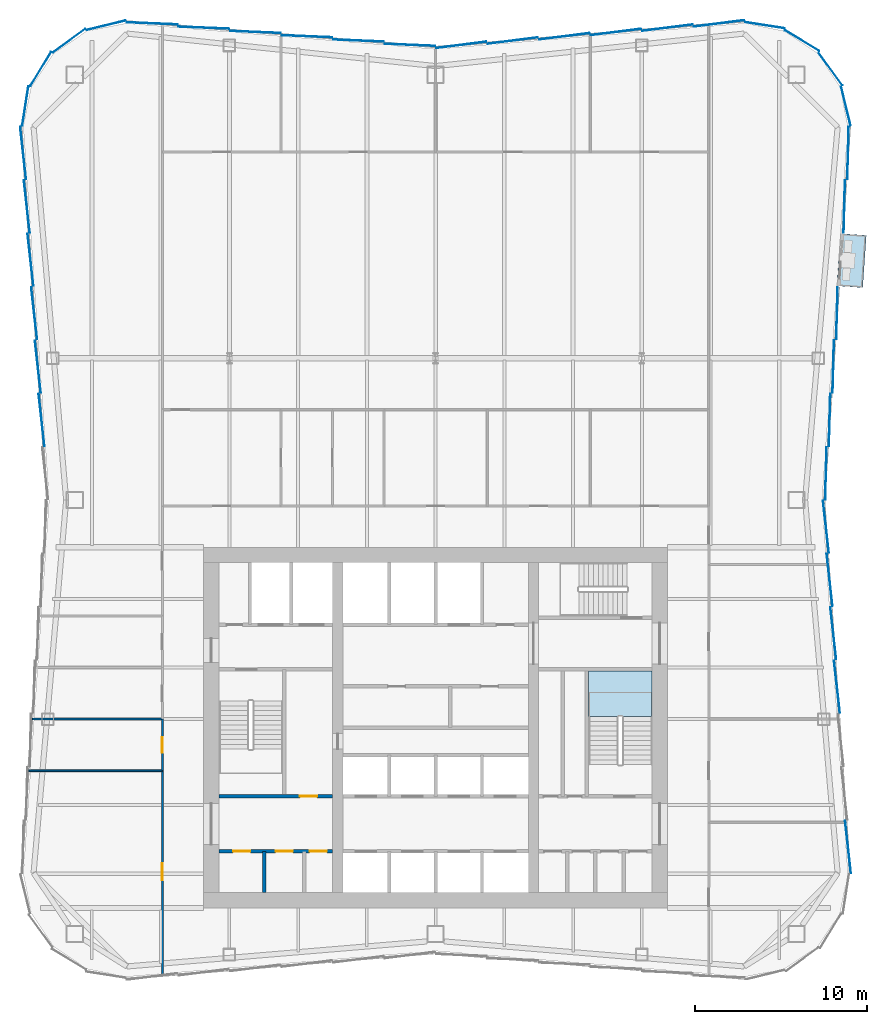
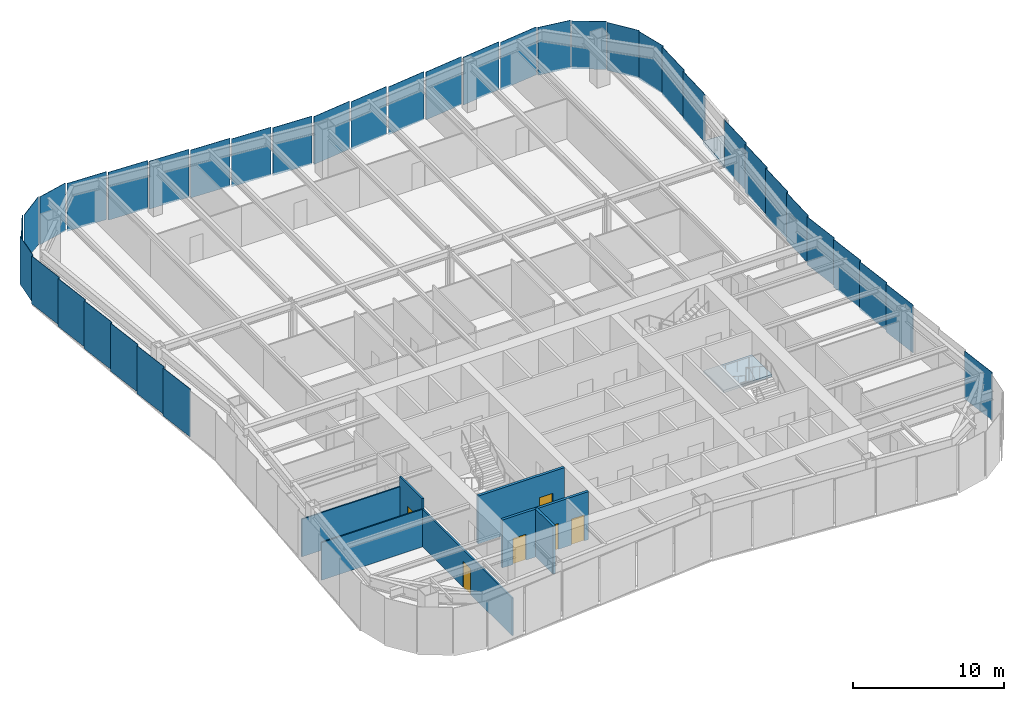
# One storey, part 4 of 10: 37 plates, 7 walls, 6 doors, 2 slabs, 6 openings, 6 elements without a shape of their own.
"""IFC4 building model written with IfcOpenShell, lengths in metres."""

from ifc_helpers import new_model, si_unit, direction, frame, frame_2d, origin, origin_2d, place, context, subcontext, project, spatial, polyline, rectangle, outline, extrude, material, layer, layer_set, type_object, element, fill, aggregate, save


model = new_model("IFC4")

# Units and contexts
model_context = context("Model", 3, precision=1e-05, world=origin(), true_north=direction((0.0, 1.0)))
body_context = subcontext(model_context, "Body", "Model", "MODEL_VIEW")
ifc_project = project(units=[si_unit("LENGTHUNIT", "METRE"), si_unit("AREAUNIT", "SQUARE_METRE"), si_unit("VOLUMEUNIT", "CUBIC_METRE"), si_unit("PLANEANGLEUNIT", "RADIAN"), si_unit("MASSUNIT", "GRAM", prefix="KILO")], contexts=[model_context])

# Site, building, storey
site_placement = place(None, origin())
site = spatial("IfcSite", under=ifc_project, at=site_placement, CompositionType="ELEMENT")
building_placement = place(site_placement, origin())
building = spatial("IfcBuilding", under=site, at=building_placement, Name="Verdant Reach Tower", CompositionType="ELEMENT")
storey_placement = place(building_placement, frame((0.0, 0.0, 198.0)))
storey = spatial("IfcBuildingStorey", under=building, at=storey_placement, Name="L45", CompositionType="ELEMENT", Elevation=198.0)

# Stair, slab
ifc_material_1 = material(Name="Concrete C40/50", Category="concrete")
stair_type = type_object("IfcStairType", Name="CO-STAIR", PredefinedType="HALF_TURN_STAIR", material=ifc_material_1)
stair_placement = place(storey_placement, origin())
stair = element("IfcStair", 1, at=stair_placement, inside=storey, type_object=stair_type, Name="L45 Exit stair 2", PredefinedType="HALF_TURN_STAIR")
ifc_layer_1 = layer(ifc_material_1, 0.199951171875)
ifc_layer_set_1 = layer_set([ifc_layer_1], Name="CO-STAIR-LANDING")
slab_type_1 = type_object("IfcSlabType", Name="CO-STAIR-LANDING", PredefinedType="LANDING", material=ifc_layer_set_1)
slab_1_placement = place(storey_placement, frame((0.0, 0.0, 1.800048828125)))
slab_1 = element("IfcSlab", 2, at=slab_1_placement, type_object=slab_type_1, Name="ST-2 landing 1", PredefinedType="LANDING", context=body_context, shape_type="SweptSolid", body=[
    extrude(outline(polyline([(12.60009765625, 28.64990234375), (12.60009765625, 31.300048828125), (8.89990234375, 31.300048828125), (8.89990234375, 28.64990234375), (12.60009765625, 28.64990234375)])), origin(), (0.0, 0.0, 1.0), 0.199951171875),
])
aggregate(stair, [slab_1])

# Slab
ifc_material_2 = material(Name="Concrete C35/45", Category="concrete")
ifc_layer_2 = layer(ifc_material_2, 0.25)
ifc_layer_set_2 = layer_set([ifc_layer_2], Name="EN-BALCONY SLAB")
slab_type_2 = type_object("IfcSlabType", Name="EN-BALCONY SLAB", PredefinedType="FLOOR", material=ifc_layer_set_2)
slab_2_placement = place(storey_placement, frame((0.0, 0.0, -0.25)))
element("IfcSlab", 3, at=slab_2_placement, inside=storey, type_object=slab_type_2, Name="Balcony slab 1, L45", PredefinedType="FLOOR", context=body_context, shape_type="SweptSolid", body=[
    extrude(outline(polyline([(23.359375, 53.71142578125), (23.569091796875, 56.752685546875), (25.065673828125, 56.649658203125), (24.85595703125, 53.6083984375), (23.359375, 53.71142578125)])), origin(), (0.0, 0.0, 1.0), 0.25),
])

# Curtain wall, plates
ifc_material_3 = material(Name="Anodised aluminium", Category="aluminium")
curtain_wall_type = type_object("IfcCurtainWallType", Name="EN-CW SYSTEM Z3", PredefinedType="NOTDEFINED", material=ifc_material_3)
curtain_wall_1_placement = place(storey_placement, origin())
curtain_wall_1 = element("IfcCurtainWall", 4, at=curtain_wall_1_placement, inside=storey, type_object=curtain_wall_type, Name="Curtain wall east, L45", PredefinedType="NOTDEFINED")
ifc_material_4 = material(Name="Tinted glass with champagne spandrel", Category="glass")
ifc_layer_3 = layer(ifc_material_4, 0.031982421875)
ifc_layer_set_3 = layer_set([ifc_layer_3], Name="EN-PANEL CHAMPAGNE")
plate_type_1 = type_object("IfcPlateType", Name="EN-PANEL CHAMPAGNE", PredefinedType="CURTAIN_PANEL", material=ifc_layer_set_3)
plate_1_placement = place(storey_placement, frame((22.93017578125, 36.5966796875, -0.22412109375), z_axis=(0.0, 0.0, 1.0), x_axis=(-0.110518162674, 0.993874104562, 0.0)))
plate_1 = element("IfcPlate", 5, at=plate_1_placement, type_object=plate_type_1, Name="Glass panel east face part 1 6.1, L45", PredefinedType="CURTAIN_PANEL", context=body_context, shape_type="SweptSolid", body=[
    extrude(rectangle(XDim=3.052490234375, YDim=0.031982421875, at=origin_2d()), origin(), (0.0, 0.0, 1.0), 3.8740234375),
])
plate_2_placement = place(storey_placement, frame((22.716064453125, 39.7001953125, -0.22412109375), z_axis=(0.0, 0.0, 1.0), x_axis=(-0.110600785385, 0.993864913493, 0.0)))
plate_2 = element("IfcPlate", 6, at=plate_2_placement, type_object=plate_type_1, Name="Glass panel east face part 1 7.1, L45", PredefinedType="CURTAIN_PANEL", context=body_context, shape_type="SweptSolid", body=[
    extrude(rectangle(XDim=3.044921875, YDim=0.031982421875, at=origin_2d()), origin(), (0.0, 0.0, 1.0), 3.8740234375),
])
plate_3_placement = place(storey_placement, frame((22.716064453125, 42.7998046875, -0.22412109375), z_axis=(0.0, 0.0, 1.0), x_axis=(0.027048420339, 0.999634124546, 0.0)))
plate_3 = element("IfcPlate", 7, at=plate_3_placement, type_object=plate_type_1, Name="Glass panel east face part 2 1.1, L45", PredefinedType="CURTAIN_PANEL", context=body_context, shape_type="SweptSolid", body=[
    extrude(rectangle(XDim=3.044921875, YDim=0.031982421875, at=origin_2d()), origin(), (0.0, 0.0, 1.0), 3.8740234375),
])
plate_4_placement = place(storey_placement, frame((24.001708984375, 61.446044921875, -0.22412109375), z_axis=(0.0, 0.0, 1.0), x_axis=(0.026659626966, 0.999644568979, 0.0)))
plate_4 = element("IfcPlate", 8, at=plate_4_placement, type_object=plate_type_1, Name="Glass panel east face part 2 7.1, L45", PredefinedType="CURTAIN_PANEL", context=body_context, shape_type="SweptSolid", body=[
    extrude(rectangle(XDim=3.06689453125, YDim=0.031982421875, at=origin_2d()), origin(), (0.0, 0.0, 1.0), 3.8740234375),
])

curtain_wall_2_placement = place(storey_placement, origin())
curtain_wall_2 = element("IfcCurtainWall", 9, at=curtain_wall_2_placement, inside=storey, type_object=curtain_wall_type, Name="Curtain wall north, L45", PredefinedType="NOTDEFINED")
plate_5_placement = place(storey_placement, frame((7.490966796875, 68.233642578125, -0.22412109375), z_axis=(0.0, 0.0, 1.0), x_axis=(-0.992194034542, -0.124703639961, 0.0)))
plate_5 = element("IfcPlate", 10, at=plate_5_placement, type_object=plate_type_1, Name="Glass panel north face part 1 4.1, L45", PredefinedType="CURTAIN_PANEL", context=body_context, shape_type="SweptSolid", body=[
    extrude(rectangle(XDim=2.948486328125, YDim=0.031982421875, at=origin_2d()), origin(), (0.0, 0.0, 1.0), 3.8740234375),
])
plate_6_placement = place(storey_placement, frame((4.490966796875, 67.983642578125, -0.22412109375), z_axis=(0.0, 0.0, 1.0), x_axis=(-0.992194034542, -0.124703639961, 0.0)))
plate_6 = element("IfcPlate", 11, at=plate_6_placement, type_object=plate_type_1, Name="Glass panel north face part 1 5.1, L45", PredefinedType="CURTAIN_PANEL", context=body_context, shape_type="SweptSolid", body=[
    extrude(rectangle(XDim=2.948486328125, YDim=0.031982421875, at=origin_2d()), origin(), (0.0, 0.0, 1.0), 3.8740234375),
])
plate_7_placement = place(storey_placement, frame((1.495361328125, 67.73388671875, -0.22412109375), z_axis=(0.0, 0.0, 1.0), x_axis=(-0.992178382939, -0.124828107529, 0.0)))
plate_7 = element("IfcPlate", 12, at=plate_7_placement, type_object=plate_type_1, Name="Glass panel north face part 1 6.1, L45", PredefinedType="CURTAIN_PANEL", context=body_context, shape_type="SweptSolid", body=[
    extrude(rectangle(XDim=2.939453125, YDim=0.031982421875, at=origin_2d()), origin(), (0.0, 0.0, 1.0), 3.8740234375),
])
plate_8_placement = place(storey_placement, frame((-16.49853515625, 68.983642578125, -0.22412109375), z_axis=(0.0, 0.0, 1.0), x_axis=(-0.999163623568, 0.040890748818, 0.0)))
plate_8 = element("IfcPlate", 13, at=plate_8_placement, type_object=plate_type_1, Name="Glass panel north face part 2 6.1, L45", PredefinedType="CURTAIN_PANEL", context=body_context, shape_type="SweptSolid", body=[
    extrude(rectangle(XDim=2.963623046875, YDim=0.031982421875, at=origin_2d()), origin(), (0.0, 0.0, 1.0), 3.8740234375),
])

# Curtain wall, plate
curtain_wall_3_placement = place(storey_placement, origin())
curtain_wall_3 = element("IfcCurtainWall", 14, at=curtain_wall_3_placement, inside=storey, type_object=curtain_wall_type, Name="Curtain wall north-west corner, L45", PredefinedType="NOTDEFINED")
plate_9_placement = place(storey_placement, frame((-23.87646484375, 64.17236328125, -0.22412109375), z_axis=(0.0, 0.0, 1.0), x_axis=(-0.154311870796, -0.988022189291, 0.0)))
plate_9 = element("IfcPlate", 15, at=plate_9_placement, type_object=plate_type_1, Name="Glass panel north-west corner 4.1, L45", PredefinedType="CURTAIN_PANEL", context=body_context, shape_type="SweptSolid", body=[
    extrude(rectangle(XDim=2.314697265625, YDim=0.031982421875, at=origin_2d()), origin(), (0.0, 0.0, 1.0), 3.8740234375),
])

# Curtain wall, plates
curtain_wall_4_placement = place(storey_placement, origin())
curtain_wall_4 = element("IfcCurtainWall", 16, at=curtain_wall_4_placement, inside=storey, type_object=curtain_wall_type, Name="Curtain wall west, L45", PredefinedType="NOTDEFINED")
plate_10_placement = place(storey_placement, frame((-23.787353515625, 58.331787109375, -0.22412109375), z_axis=(0.0, 0.0, 1.0), x_axis=(0.110518162674, -0.993874104562, 0.0)))
plate_10 = element("IfcPlate", 17, at=plate_10_placement, type_object=plate_type_1, Name="Glass panel west face part 1 2.1, L45", PredefinedType="CURTAIN_PANEL", context=body_context, shape_type="SweptSolid", body=[
    extrude(rectangle(XDim=3.052490234375, YDim=0.031982421875, at=origin_2d()), origin(), (0.0, 0.0, 1.0), 3.8740234375),
])
plate_11_placement = place(storey_placement, frame((-23.572998046875, 55.224609375, -0.22412109375), z_axis=(0.0, 0.0, 1.0), x_axis=(0.110518162674, -0.993874104562, 0.0)))
plate_11 = element("IfcPlate", 18, at=plate_11_placement, type_object=plate_type_1, Name="Glass panel west face part 1 3.1, L45", PredefinedType="CURTAIN_PANEL", context=body_context, shape_type="SweptSolid", body=[
    extrude(rectangle(XDim=3.052490234375, YDim=0.031982421875, at=origin_2d()), origin(), (0.0, 0.0, 1.0), 3.8740234375),
])
plate_12_placement = place(storey_placement, frame((-23.358642578125, 52.117431640625, -0.22412109375), z_axis=(0.0, 0.0, 1.0), x_axis=(0.110518162674, -0.993874104562, 0.0)))
plate_12 = element("IfcPlate", 19, at=plate_12_placement, type_object=plate_type_1, Name="Glass panel west face part 1 4.1, L45", PredefinedType="CURTAIN_PANEL", context=body_context, shape_type="SweptSolid", body=[
    extrude(rectangle(XDim=3.052490234375, YDim=0.031982421875, at=origin_2d()), origin(), (0.0, 0.0, 1.0), 3.8740234375),
])

# Plate
ifc_material_5 = material(Name="Tinted glass with copper spandrel", Category="glass")
ifc_layer_4 = layer(ifc_material_5, 0.031982421875)
ifc_layer_set_4 = layer_set([ifc_layer_4], Name="EN-PANEL COPPER")
plate_type_2 = type_object("IfcPlateType", Name="EN-PANEL COPPER", PredefinedType="CURTAIN_PANEL", material=ifc_layer_set_4)
plate_13_placement = place(storey_placement, frame((24.001708984375, 21.053955078125, -0.22412109375), z_axis=(0.0, 0.0, 1.0), x_axis=(-0.110214229533, 0.993907854687, 0.0)))
plate_13 = element("IfcPlate", 20, at=plate_13_placement, type_object=plate_type_2, Name="Glass panel east face part 1 1.1, L45", PredefinedType="CURTAIN_PANEL", context=body_context, shape_type="SweptSolid", body=[
    extrude(rectangle(XDim=3.06689453125, YDim=0.031982421875, at=origin_2d()), origin(), (0.0, 0.0, 1.0), 3.8740234375),
])

plate_14_placement = place(storey_placement, frame((22.93017578125, 45.9033203125, -0.22412109375), z_axis=(0.0, 0.0, 1.0), x_axis=(0.026965318308, 0.999636369691, 0.0)))
plate_14 = element("IfcPlate", 21, at=plate_14_placement, type_object=plate_type_2, Name="Glass panel east face part 2 2.1, L45", PredefinedType="CURTAIN_PANEL", context=body_context, shape_type="SweptSolid", body=[
    extrude(rectangle(XDim=3.052490234375, YDim=0.031982421875, at=origin_2d()), origin(), (0.0, 0.0, 1.0), 3.8740234375),
])

plate_15_placement = place(storey_placement, frame((23.14453125, 49.01025390625, -0.22412109375), z_axis=(0.0, 0.0, 1.0), x_axis=(0.026965318308, 0.999636369691, 0.0)))
plate_15 = element("IfcPlate", 22, at=plate_15_placement, type_object=plate_type_2, Name="Glass panel east face part 2 3.1, L45", PredefinedType="CURTAIN_PANEL", context=body_context, shape_type="SweptSolid", body=[
    extrude(rectangle(XDim=3.052490234375, YDim=0.031982421875, at=origin_2d()), origin(), (0.0, 0.0, 1.0), 3.8740234375),
])

plate_16_placement = place(storey_placement, frame((23.358642578125, 52.117431640625, -0.22412109375), z_axis=(0.0, 0.0, 1.0), x_axis=(0.026965318308, 0.999636369691, 0.0)))
plate_16 = element("IfcPlate", 23, at=plate_16_placement, type_object=plate_type_2, Name="Glass panel east face part 2 4.1, L45", PredefinedType="CURTAIN_PANEL", context=body_context, shape_type="SweptSolid", body=[
    extrude(rectangle(XDim=3.052490234375, YDim=0.031982421875, at=origin_2d()), origin(), (0.0, 0.0, 1.0), 3.8740234375),
])

# Curtain wall, plates
curtain_wall_5_placement = place(storey_placement, origin())
curtain_wall_5 = element("IfcCurtainWall", 24, at=curtain_wall_5_placement, inside=storey, type_object=curtain_wall_type, Name="Curtain wall north-east corner, L45", PredefinedType="NOTDEFINED")
plate_17_placement = place(storey_placement, frame((23.87646484375, 64.17236328125, -0.22412109375), z_axis=(0.0, 0.0, 1.0), x_axis=(-0.23644624331, 0.97164457186, 0.0)))
plate_17 = element("IfcPlate", 25, at=plate_17_placement, type_object=plate_type_2, Name="Glass panel north-east corner 1.1, L45", PredefinedType="CURTAIN_PANEL", context=body_context, shape_type="SweptSolid", body=[
    extrude(rectangle(XDim=2.314697265625, YDim=0.031982421875, at=origin_2d()), origin(), (0.0, 0.0, 1.0), 3.8740234375),
])
plate_18_placement = place(storey_placement, frame((22.98193359375, 66.328857421875, -0.22412109375), z_axis=(0.0, 0.0, 1.0), x_axis=(-0.589926747542, 0.807456768214, 0.0)))
plate_18 = element("IfcPlate", 26, at=plate_18_placement, type_object=plate_type_2, Name="Glass panel north-east corner 2.1, L45", PredefinedType="CURTAIN_PANEL", context=body_context, shape_type="SweptSolid", body=[
    extrude(rectangle(XDim=2.321533203125, YDim=0.031982421875, at=origin_2d()), origin(), (0.0, 0.0, 1.0), 3.8740234375),
])

# Plate
plate_19_placement = place(storey_placement, frame((16.49853515625, 68.983642578125, -0.22412109375), z_axis=(0.0, 0.0, 1.0), x_axis=(-0.992237766434, -0.124355196363, 0.0)))
plate_19 = element("IfcPlate", 27, at=plate_19_placement, type_object=plate_type_2, Name="Glass panel north face part 1 1.1, L45", PredefinedType="CURTAIN_PANEL", context=body_context, shape_type="SweptSolid", body=[
    extrude(rectangle(XDim=2.963623046875, YDim=0.031982421875, at=origin_2d()), origin(), (0.0, 0.0, 1.0), 3.8740234375),
])

plate_20_placement = place(storey_placement, frame((-1.495361328125, 67.73388671875, -0.22412109375), z_axis=(0.0, 0.0, 1.0), x_axis=(-0.999144020525, 0.041366970501, 0.0)))
plate_20 = element("IfcPlate", 28, at=plate_20_placement, type_object=plate_type_2, Name="Glass panel north face part 2 1.1, L45", PredefinedType="CURTAIN_PANEL", context=body_context, shape_type="SweptSolid", body=[
    extrude(rectangle(XDim=2.939453125, YDim=0.031982421875, at=origin_2d()), origin(), (0.0, 0.0, 1.0), 3.8740234375),
])

plate_21_placement = place(storey_placement, frame((-4.490966796875, 67.983642578125, -0.22412109375), z_axis=(0.0, 0.0, 1.0), x_axis=(-0.999149202059, 0.041241629766, 0.0)))
plate_21 = element("IfcPlate", 29, at=plate_21_placement, type_object=plate_type_2, Name="Glass panel north face part 2 2.1, L45", PredefinedType="CURTAIN_PANEL", context=body_context, shape_type="SweptSolid", body=[
    extrude(rectangle(XDim=2.948486328125, YDim=0.031982421875, at=origin_2d()), origin(), (0.0, 0.0, 1.0), 3.8740234375),
])

plate_22_placement = place(storey_placement, frame((-19.171875, 68.87646484375, -0.22412109375), z_axis=(0.0, 0.0, 1.0), x_axis=(-0.971655117833, -0.236402901821, 0.0)))
plate_22 = element("IfcPlate", 30, at=plate_22_placement, type_object=plate_type_2, Name="Glass panel north-west corner 1.1, L45", PredefinedType="CURTAIN_PANEL", context=body_context, shape_type="SweptSolid", body=[
    extrude(rectangle(XDim=2.3154296875, YDim=0.031982421875, at=origin_2d()), origin(), (0.0, 0.0, 1.0), 3.8740234375),
])

plate_23_placement = place(storey_placement, frame((-23.14453125, 49.01025390625, -0.22412109375), z_axis=(0.0, 0.0, 1.0), x_axis=(0.110518162674, -0.993874104562, 0.0)))
plate_23 = element("IfcPlate", 31, at=plate_23_placement, type_object=plate_type_2, Name="Glass panel west face part 1 5.1, L45", PredefinedType="CURTAIN_PANEL", context=body_context, shape_type="SweptSolid", body=[
    extrude(rectangle(XDim=3.052490234375, YDim=0.031982421875, at=origin_2d()), origin(), (0.0, 0.0, 1.0), 3.8740234375),
])

plate_24_placement = place(storey_placement, frame((-22.93017578125, 45.9033203125, -0.22412109375), z_axis=(0.0, 0.0, 1.0), x_axis=(0.110518162674, -0.993874104562, 0.0)))
plate_24 = element("IfcPlate", 32, at=plate_24_placement, type_object=plate_type_2, Name="Glass panel west face part 1 6.1, L45", PredefinedType="CURTAIN_PANEL", context=body_context, shape_type="SweptSolid", body=[
    extrude(rectangle(XDim=3.052490234375, YDim=0.031982421875, at=origin_2d()), origin(), (0.0, 0.0, 1.0), 3.8740234375),
])

ifc_material_6 = material(Name="Tinted glass with dark bronze spandrel", Category="glass")
ifc_layer_5 = layer(ifc_material_6, 0.031982421875)
ifc_layer_set_5 = layer_set([ifc_layer_5], Name="EN-PANEL DARK")
plate_type_3 = type_object("IfcPlateType", Name="EN-PANEL DARK", PredefinedType="CURTAIN_PANEL", material=ifc_layer_set_5)
plate_25_placement = place(storey_placement, frame((23.358642578125, 30.382568359375, -0.22412109375), z_axis=(0.0, 0.0, 1.0), x_axis=(-0.110518162674, 0.993874104562, 0.0)))
plate_25 = element("IfcPlate", 33, at=plate_25_placement, type_object=plate_type_3, Name="Glass panel east face part 1 4.1, L45", PredefinedType="CURTAIN_PANEL", context=body_context, shape_type="SweptSolid", body=[
    extrude(rectangle(XDim=3.052490234375, YDim=0.031982421875, at=origin_2d()), origin(), (0.0, 0.0, 1.0), 3.8740234375),
])

plate_26_placement = place(storey_placement, frame((23.14453125, 33.48974609375, -0.22412109375), z_axis=(0.0, 0.0, 1.0), x_axis=(-0.110518162674, 0.993874104562, 0.0)))
plate_26 = element("IfcPlate", 34, at=plate_26_placement, type_object=plate_type_3, Name="Glass panel east face part 1 5.1, L45", PredefinedType="CURTAIN_PANEL", context=body_context, shape_type="SweptSolid", body=[
    extrude(rectangle(XDim=3.052490234375, YDim=0.031982421875, at=origin_2d()), origin(), (0.0, 0.0, 1.0), 3.8740234375),
])

plate_27_placement = place(storey_placement, frame((23.787353515625, 58.331787109375, -0.22412109375), z_axis=(0.0, 0.0, 1.0), x_axis=(0.026965318308, 0.999636369691, 0.0)))
plate_27 = element("IfcPlate", 35, at=plate_27_placement, type_object=plate_type_3, Name="Glass panel east face part 2 6.1, L45", PredefinedType="CURTAIN_PANEL", context=body_context, shape_type="SweptSolid", body=[
    extrude(rectangle(XDim=3.052490234375, YDim=0.031982421875, at=origin_2d()), origin(), (0.0, 0.0, 1.0), 3.8740234375),
])

aggregate(curtain_wall_1, [plate_13, plate_25, plate_26, plate_1, plate_2, plate_3, plate_14, plate_15, plate_16, plate_27, plate_4])

plate_28_placement = place(storey_placement, frame((21.328857421875, 67.98193359375, -0.22412109375), z_axis=(0.0, 0.0, 1.0), x_axis=(-0.853988701636, 0.520291550457, 0.0)))
plate_28 = element("IfcPlate", 36, at=plate_28_placement, type_object=plate_type_3, Name="Glass panel north-east corner 3.1, L45", PredefinedType="CURTAIN_PANEL", context=body_context, shape_type="SweptSolid", body=[
    extrude(rectangle(XDim=2.321533203125, YDim=0.031982421875, at=origin_2d()), origin(), (0.0, 0.0, 1.0), 3.8740234375),
])

plate_29_placement = place(storey_placement, frame((19.171875, 68.87646484375, -0.22412109375), z_axis=(0.0, 0.0, 1.0), x_axis=(-0.988029071555, 0.154267798848, 0.0)))
plate_29 = element("IfcPlate", 37, at=plate_29_placement, type_object=plate_type_3, Name="Glass panel north-east corner 4.1, L45", PredefinedType="CURTAIN_PANEL", context=body_context, shape_type="SweptSolid", body=[
    extrude(rectangle(XDim=2.3154296875, YDim=0.031982421875, at=origin_2d()), origin(), (0.0, 0.0, 1.0), 3.8740234375),
])

aggregate(curtain_wall_5, [plate_17, plate_18, plate_28, plate_29])

plate_30_placement = place(storey_placement, frame((13.490966796875, 68.733642578125, -0.22412109375), z_axis=(0.0, 0.0, 1.0), x_axis=(-0.992194034542, -0.124703639961, 0.0)))
plate_30 = element("IfcPlate", 38, at=plate_30_placement, type_object=plate_type_3, Name="Glass panel north face part 1 2.1, L45", PredefinedType="CURTAIN_PANEL", context=body_context, shape_type="SweptSolid", body=[
    extrude(rectangle(XDim=2.948486328125, YDim=0.031982421875, at=origin_2d()), origin(), (0.0, 0.0, 1.0), 3.8740234375),
])

plate_31_placement = place(storey_placement, frame((10.490966796875, 68.483642578125, -0.22412109375), z_axis=(0.0, 0.0, 1.0), x_axis=(-0.992194034542, -0.124703639961, 0.0)))
plate_31 = element("IfcPlate", 39, at=plate_31_placement, type_object=plate_type_3, Name="Glass panel north face part 1 3.1, L45", PredefinedType="CURTAIN_PANEL", context=body_context, shape_type="SweptSolid", body=[
    extrude(rectangle(XDim=2.948486328125, YDim=0.031982421875, at=origin_2d()), origin(), (0.0, 0.0, 1.0), 3.8740234375),
])

plate_32_placement = place(storey_placement, frame((-7.490966796875, 68.233642578125, -0.22412109375), z_axis=(0.0, 0.0, 1.0), x_axis=(-0.999149202059, 0.041241629766, 0.0)))
plate_32 = element("IfcPlate", 40, at=plate_32_placement, type_object=plate_type_3, Name="Glass panel north face part 2 3.1, L45", PredefinedType="CURTAIN_PANEL", context=body_context, shape_type="SweptSolid", body=[
    extrude(rectangle(XDim=2.948486328125, YDim=0.031982421875, at=origin_2d()), origin(), (0.0, 0.0, 1.0), 3.8740234375),
])

plate_33_placement = place(storey_placement, frame((-10.490966796875, 68.483642578125, -0.22412109375), z_axis=(0.0, 0.0, 1.0), x_axis=(-0.999149202059, 0.041241629766, 0.0)))
plate_33 = element("IfcPlate", 41, at=plate_33_placement, type_object=plate_type_3, Name="Glass panel north face part 2 4.1, L45", PredefinedType="CURTAIN_PANEL", context=body_context, shape_type="SweptSolid", body=[
    extrude(rectangle(XDim=2.948486328125, YDim=0.031982421875, at=origin_2d()), origin(), (0.0, 0.0, 1.0), 3.8740234375),
])

plate_34_placement = place(storey_placement, frame((-13.490966796875, 68.733642578125, -0.22412109375), z_axis=(0.0, 0.0, 1.0), x_axis=(-0.999149202059, 0.041241629766, 0.0)))
plate_34 = element("IfcPlate", 42, at=plate_34_placement, type_object=plate_type_3, Name="Glass panel north face part 2 5.1, L45", PredefinedType="CURTAIN_PANEL", context=body_context, shape_type="SweptSolid", body=[
    extrude(rectangle(XDim=2.948486328125, YDim=0.031982421875, at=origin_2d()), origin(), (0.0, 0.0, 1.0), 3.8740234375),
])

aggregate(curtain_wall_2, [plate_19, plate_30, plate_31, plate_5, plate_6, plate_7, plate_20, plate_21, plate_32, plate_33, plate_34, plate_8])

plate_35_placement = place(storey_placement, frame((-21.328857421875, 67.98193359375, -0.22412109375), z_axis=(0.0, 0.0, 1.0), x_axis=(-0.807456768214, -0.589926747542, 0.0)))
plate_35 = element("IfcPlate", 43, at=plate_35_placement, type_object=plate_type_3, Name="Glass panel north-west corner 2.1, L45", PredefinedType="CURTAIN_PANEL", context=body_context, shape_type="SweptSolid", body=[
    extrude(rectangle(XDim=2.321533203125, YDim=0.031982421875, at=origin_2d()), origin(), (0.0, 0.0, 1.0), 3.8740234375),
])

plate_36_placement = place(storey_placement, frame((-22.98193359375, 66.328857421875, -0.22412109375), z_axis=(0.0, 0.0, 1.0), x_axis=(-0.520291550457, -0.853988701636, 0.0)))
plate_36 = element("IfcPlate", 44, at=plate_36_placement, type_object=plate_type_3, Name="Glass panel north-west corner 3.1, L45", PredefinedType="CURTAIN_PANEL", context=body_context, shape_type="SweptSolid", body=[
    extrude(rectangle(XDim=2.321533203125, YDim=0.031982421875, at=origin_2d()), origin(), (0.0, 0.0, 1.0), 3.8740234375),
])

aggregate(curtain_wall_3, [plate_22, plate_35, plate_36, plate_9])

plate_37_placement = place(storey_placement, frame((-24.001708984375, 61.446044921875, -0.22412109375), z_axis=(0.0, 0.0, 1.0), x_axis=(0.110214229533, -0.993907854687, 0.0)))
plate_37 = element("IfcPlate", 45, at=plate_37_placement, type_object=plate_type_3, Name="Glass panel west face part 1 1.1, L45", PredefinedType="CURTAIN_PANEL", context=body_context, shape_type="SweptSolid", body=[
    extrude(rectangle(XDim=3.06689453125, YDim=0.031982421875, at=origin_2d()), origin(), (0.0, 0.0, 1.0), 3.8740234375),
])

aggregate(curtain_wall_4, [plate_37, plate_10, plate_11, plate_12, plate_23, plate_24])

# Wall, openings, doors
ifc_material_7 = material(Name="Gypsum board on steel studs", Category="steel")
ifc_layer_6 = layer(ifc_material_7, 0.199951171875)
ifc_layer_set_6 = layer_set([ifc_layer_6], Name="CO-WALL-ROOM")
wall_type_1 = type_object("IfcWallType", Name="CO-WALL-ROOM", PredefinedType="PARTITIONING", material=ifc_layer_set_6)
wall_1_placement = place(storey_placement, frame((-12.60009765625, 20.800048828125, 0.0), z_axis=(0.0, 0.0, 1.0), x_axis=(1.0, 0.0, 0.0)))
wall_1 = element("IfcWall", 46, at=wall_1_placement, inside=storey, type_object=wall_type_1, Name="Core partition, L45", PredefinedType="PARTITIONING", context=body_context, shape_type="SweptSolid", body=[
    extrude(rectangle(XDim=6.60009765625, YDim=0.199951171875, at=frame_2d((3.300048828125, 0.0))), origin(), (0.0, 0.0, 1.0), 3.8701171875),
])
opening_1_placement = place(wall_1_placement, frame((0.820068359375, 0.0, 0.0)))
opening_1 = element("IfcOpeningElement", 47, at=opening_1_placement, cuts=wall_1, Name="Opening CD", PredefinedType="OPENING", context=body_context, shape_type="SweptSolid", body=[
    extrude(rectangle(XDim=1.0, YDim=2.10009765625, at=frame_2d((0.5, 1.050048828125))), frame((0.0, 0.10986328125, 0.0), z_axis=(0.0, -1.0, 0.0), x_axis=(1.0, 0.0, 0.0)), (0.0, 0.0, 1.0), 0.219970703125),
])
opening_2_placement = place(wall_1_placement, frame((3.294921875, 0.0, 0.0)))
opening_2 = element("IfcOpeningElement", 48, at=opening_2_placement, cuts=wall_1, Name="Opening CD", PredefinedType="OPENING", context=body_context, shape_type="SweptSolid", body=[
    extrude(rectangle(XDim=1.0, YDim=2.10009765625, at=frame_2d((0.5, 1.050048828125))), frame((0.0, 0.10986328125, 0.0), z_axis=(0.0, -1.0, 0.0), x_axis=(1.0, 0.0, 0.0)), (0.0, 0.0, 1.0), 0.219970703125),
])
opening_3_placement = place(wall_1_placement, frame((5.27490234375, 0.0, 0.0)))
opening_3 = element("IfcOpeningElement", 49, at=opening_3_placement, cuts=wall_1, Name="Opening CD", PredefinedType="OPENING", context=body_context, shape_type="SweptSolid", body=[
    extrude(rectangle(XDim=1.0, YDim=2.10009765625, at=frame_2d((0.5, 1.050048828125))), frame((0.0, 0.10986328125, 0.0), z_axis=(0.0, -1.0, 0.0), x_axis=(1.0, 0.0, 0.0)), (0.0, 0.0, 1.0), 0.219970703125),
])
ifc_material_8 = material(Name="Timber", Category="wood")
door_type_1 = type_object("IfcDoorType", Name="CO-DOOR-ROOM", OperationType="NOTDEFINED", PredefinedType="DOOR", material=ifc_material_8)
door_1_placement = place(opening_1_placement, origin())
door_1 = element("IfcDoor", 50, at=door_1_placement, inside=storey, type_object=door_type_1, Name="Core room door, L45", OperationType="SINGLE_SWING_LEFT", OverallHeight=2.10009765625, OverallWidth=1.0, PredefinedType="DOOR", context=body_context, shape_type="SweptSolid", body=[
    extrude(rectangle(XDim=1.0, YDim=2.10009765625, at=frame_2d((0.5, 1.050048828125))), frame((0.0, 0.02490234375, 0.0), z_axis=(0.0, -1.0, 0.0), x_axis=(1.0, 0.0, 0.0)), (0.0, 0.0, 1.0), 0.050048828125),
])
fill(opening_1, door_1)
door_2_placement = place(opening_2_placement, origin())
door_2 = element("IfcDoor", 51, at=door_2_placement, inside=storey, type_object=door_type_1, Name="Core room door, L45", OperationType="SINGLE_SWING_LEFT", OverallHeight=2.10009765625, OverallWidth=1.0, PredefinedType="DOOR", context=body_context, shape_type="SweptSolid", body=[
    extrude(rectangle(XDim=1.0, YDim=2.10009765625, at=frame_2d((0.5, 1.050048828125))), frame((0.0, 0.02490234375, 0.0), z_axis=(0.0, -1.0, 0.0), x_axis=(1.0, 0.0, 0.0)), (0.0, 0.0, 1.0), 0.050048828125),
])
fill(opening_2, door_2)
door_3_placement = place(opening_3_placement, origin())
door_3 = element("IfcDoor", 52, at=door_3_placement, inside=storey, type_object=door_type_1, Name="Core room door, L45", OperationType="SINGLE_SWING_RIGHT", OverallHeight=2.10009765625, OverallWidth=1.0, PredefinedType="DOOR", context=body_context, shape_type="SweptSolid", body=[
    extrude(rectangle(XDim=1.0, YDim=2.10009765625, at=frame_2d((0.5, 1.050048828125))), frame((0.0, 0.02490234375, 0.0), z_axis=(0.0, -1.0, 0.0), x_axis=(1.0, 0.0, 0.0)), (0.0, 0.0, 1.0), 0.050048828125),
])
fill(opening_3, door_3)

# Wall
wall_2_placement = place(storey_placement, frame((-9.9599609375, 18.39990234375, 0.0), z_axis=(0.0, 0.0, 1.0), x_axis=(0.0, 1.0, 0.0)))
element("IfcWall", 53, at=wall_2_placement, inside=storey, type_object=wall_type_1, Name="Core partition, L45", PredefinedType="PARTITIONING", context=body_context, shape_type="SweptSolid", body=[
    extrude(rectangle(XDim=2.400146484375, YDim=0.199951171875, at=frame_2d((1.2001953125, 0.0))), origin(), (0.0, 0.0, 1.0), 3.8701171875),
])

# Wall, opening, door
ifc_layer_7 = layer(ifc_material_1, 0.199951171875)
ifc_layer_set_7 = layer_set([ifc_layer_7], Name="CO-WALL-STAIR")
wall_type_2 = type_object("IfcWallType", Name="CO-WALL-STAIR", PredefinedType="PARTITIONING", material=ifc_layer_set_7)
wall_3_placement = place(storey_placement, frame((-12.60009765625, 24.0, 0.0), z_axis=(0.0, 0.0, 1.0), x_axis=(1.0, 0.0, 0.0)))
wall_3 = element("IfcWall", 54, at=wall_3_placement, inside=storey, type_object=wall_type_2, Name="Stair enclosure wall, L45", PredefinedType="PARTITIONING", context=body_context, shape_type="SweptSolid", body=[
    extrude(rectangle(XDim=6.60009765625, YDim=0.199951171875, at=frame_2d((3.300048828125, 0.0))), origin(), (0.0, 0.0, 1.0), 3.8701171875),
])
opening_4_placement = place(wall_3_placement, frame((4.699951171875, 0.0, 0.0)))
opening_4 = element("IfcOpeningElement", 55, at=opening_4_placement, cuts=wall_3, Name="Opening CD", PredefinedType="OPENING", context=body_context, shape_type="SweptSolid", body=[
    extrude(rectangle(XDim=1.0, YDim=2.10009765625, at=frame_2d((0.5, 1.050048828125))), frame((0.0, 0.10986328125, 0.0), z_axis=(0.0, -1.0, 0.0), x_axis=(1.0, 0.0, 0.0)), (0.0, 0.0, 1.0), 0.219970703125),
])
door_4_placement = place(opening_4_placement, origin())
door_4 = element("IfcDoor", 56, at=door_4_placement, inside=storey, type_object=door_type_1, Name="Core room door, L45", OperationType="SINGLE_SWING_LEFT", OverallHeight=2.10009765625, OverallWidth=1.0, PredefinedType="DOOR", context=body_context, shape_type="SweptSolid", body=[
    extrude(rectangle(XDim=1.0, YDim=2.10009765625, at=frame_2d((0.5, 1.050048828125))), frame((0.0, 0.02490234375, 0.0), z_axis=(0.0, -1.0, 0.0), x_axis=(1.0, 0.0, 0.0)), (0.0, 0.0, 1.0), 0.050048828125),
])
fill(opening_4, door_4)

# Walls
ifc_layer_8 = layer(ifc_material_7, 0.10009765625)
ifc_layer_set_8 = layer_set([ifc_layer_8], Name="FL-W1 Partition 100")
wall_type_3 = type_object("IfcWallType", Name="FL-W1 Partition 100", PredefinedType="PARTITIONING", material=ifc_layer_set_8)
wall_4_placement = place(storey_placement, frame((-15.89990234375, 25.5, 0.0), z_axis=(0.0, 0.0, 1.0), x_axis=(-1.0, 0.0, 0.0)))
element("IfcWall", 57, at=wall_4_placement, inside=storey, type_object=wall_type_3, Name="Partition 45.40", PredefinedType="PARTITIONING", context=body_context, shape_type="SweptSolid", body=[
    extrude(rectangle(XDim=7.766357421875, YDim=0.10009765625, at=frame_2d((3.88330078125, 0.0))), origin(), (0.0, 0.0, 1.0), 3.0400390625),
])
wall_5_placement = place(storey_placement, frame((-15.89990234375, 28.5, 0.0), z_axis=(0.0, 0.0, 1.0), x_axis=(-1.0, 0.0, 0.0)))
element("IfcWall", 58, at=wall_5_placement, inside=storey, type_object=wall_type_3, Name="Partition 45.41", PredefinedType="PARTITIONING", context=body_context, shape_type="SweptSolid", body=[
    extrude(rectangle(XDim=7.559326171875, YDim=0.10009765625, at=frame_2d((3.77978515625, 0.0))), origin(), (0.0, 0.0, 1.0), 3.0400390625),
])

# Wall, opening, door
ifc_material_9 = material(Name="Gypsum board on steel studs, fire rated", Category="steel")
ifc_layer_9 = layer(ifc_material_9, 0.125)
ifc_layer_set_9 = layer_set([ifc_layer_9], Name="FL-W2 Corridor wall 125")
wall_type_4 = type_object("IfcWallType", Name="FL-W2 Corridor wall 125", PredefinedType="PARTITIONING", material=ifc_layer_set_9)
wall_6_placement = place(storey_placement, frame((-15.89990234375, 13.594970703125, 0.0), z_axis=(0.0, 0.0, 1.0), x_axis=(0.0, 1.0, 0.0)))
wall_6 = element("IfcWall", 59, at=wall_6_placement, inside=storey, type_object=wall_type_4, Name="Partition 45.07", PredefinedType="PARTITIONING", context=body_context, shape_type="SweptSolid", body=[
    extrude(rectangle(XDim=11.905029296875, YDim=0.125, at=frame_2d((5.95263671875, 0.0))), origin(), (0.0, 0.0, 1.0), 3.0400390625),
])
opening_5_placement = place(wall_6_placement, frame((5.517578125, 0.0, 0.0)))
opening_5 = element("IfcOpeningElement", 60, at=opening_5_placement, cuts=wall_6, Name="Opening D2", PredefinedType="OPENING", context=body_context, shape_type="SweptSolid", body=[
    extrude(rectangle(XDim=1.0, YDim=2.10009765625, at=frame_2d((0.5, 1.050048828125))), frame((0.0, 0.072509765625, 0.0), z_axis=(0.0, -1.0, 0.0), x_axis=(1.0, 0.0, 0.0)), (0.0, 0.0, 1.0), 0.14501953125),
])
ifc_material_10 = material(Name="Timber door leaf, fire rated", Category="wood")
door_type_2 = type_object("IfcDoorType", Name="FL-D2 Entrance door 1000x2100 FD30", OperationType="NOTDEFINED", PredefinedType="DOOR", material=ifc_material_10)
door_5_placement = place(opening_5_placement, origin())
door_5 = element("IfcDoor", 61, at=door_5_placement, inside=storey, type_object=door_type_2, Name="Door 45-005", OperationType="SINGLE_SWING_RIGHT", OverallHeight=2.10009765625, OverallWidth=1.0, PredefinedType="DOOR", context=body_context, shape_type="SweptSolid", body=[
    extrude(rectangle(XDim=1.0, YDim=2.10009765625, at=frame_2d((0.5, 1.050048828125))), frame((0.0, 0.02490234375, 0.0), z_axis=(0.0, -1.0, 0.0), x_axis=(1.0, 0.0, 0.0)), (0.0, 0.0, 1.0), 0.050048828125),
])
fill(opening_5, door_5)

wall_7_placement = place(storey_placement, frame((-15.89990234375, 25.5, 0.0), z_axis=(0.0, 0.0, 1.0), x_axis=(0.0, 1.0, 0.0)))
wall_7 = element("IfcWall", 62, at=wall_7_placement, inside=storey, type_object=wall_type_4, Name="Partition 45.08", PredefinedType="PARTITIONING", context=body_context, shape_type="SweptSolid", body=[
    extrude(rectangle(XDim=3.0, YDim=0.125, at=frame_2d((1.5, 0.0))), origin(), (0.0, 0.0, 1.0), 3.8701171875),
])
opening_6_placement = place(wall_7_placement, frame((1.050048828125, 0.0, 0.0)))
opening_6 = element("IfcOpeningElement", 63, at=opening_6_placement, cuts=wall_7, Name="Opening D1", PredefinedType="OPENING", context=body_context, shape_type="SweptSolid", body=[
    extrude(rectangle(XDim=0.89990234375, YDim=2.10009765625, at=frame_2d((0.449951171875, 1.050048828125))), frame((0.0, 0.072509765625, 0.0), z_axis=(0.0, -1.0, 0.0), x_axis=(1.0, 0.0, 0.0)), (0.0, 0.0, 1.0), 0.14501953125),
])
ifc_material_11 = material(Name="Painted timber door leaf", Category="wood")
door_type_3 = type_object("IfcDoorType", Name="FL-D1 Door 900x2100", OperationType="NOTDEFINED", PredefinedType="DOOR", material=ifc_material_11)
door_6_placement = place(opening_6_placement, origin())
door_6 = element("IfcDoor", 64, at=door_6_placement, inside=storey, type_object=door_type_3, Name="Door 45-006", OperationType="SINGLE_SWING_RIGHT", OverallHeight=2.10009765625, OverallWidth=0.89990234375, PredefinedType="DOOR", context=body_context, shape_type="SweptSolid", body=[
    extrude(rectangle(XDim=0.89990234375, YDim=2.10009765625, at=frame_2d((0.449951171875, 1.050048828125))), frame((0.0, 0.02490234375, 0.0), z_axis=(0.0, -1.0, 0.0), x_axis=(1.0, 0.0, 0.0)), (0.0, 0.0, 1.0), 0.050048828125),
])
fill(opening_6, door_6)

save(model, "model.ifc")
